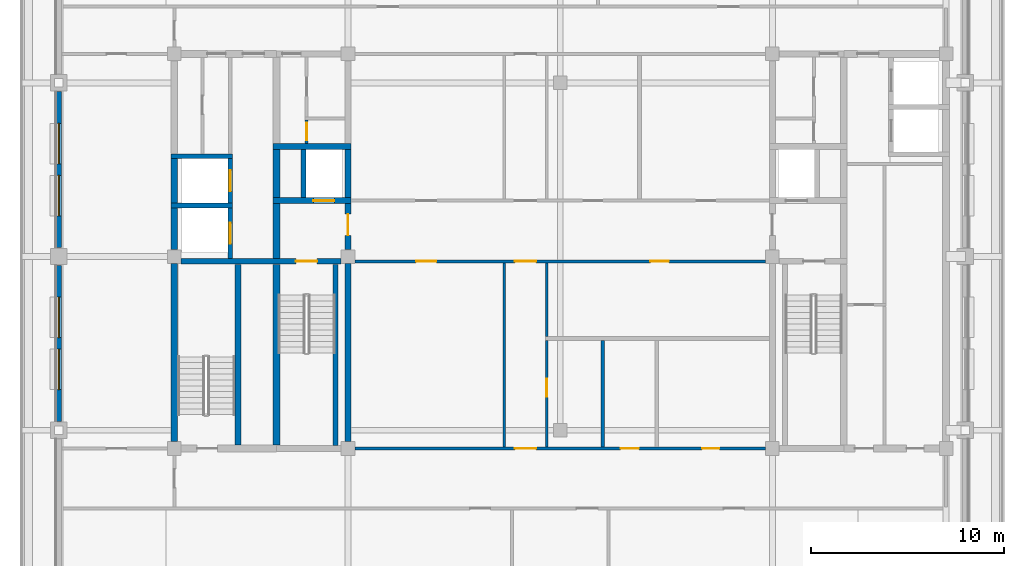
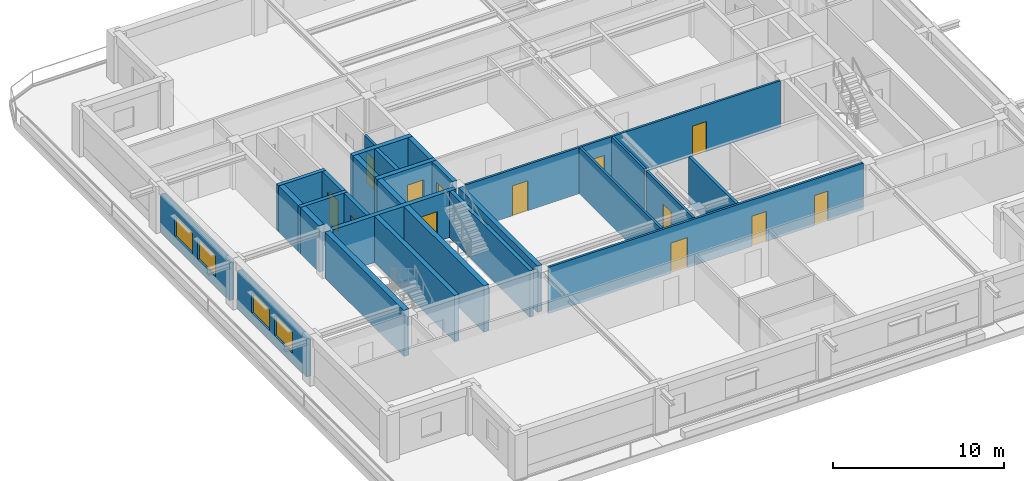
# One storey, part 3 of 11: 28 walls, 13 doors, 4 windows, 17 openings.
"""IFC4 building model written with IfcOpenShell, lengths in metres."""

import ifcopenshell
import ifcopenshell.guid

model = None  # the IFC model being written
_history = None  # IfcOwnerHistory: only IFC2X3 demands one
_inside = {}  # id of a spatial element -> (the spatial element, [elements in it])
_under = {}  # id of a project, library or spatial element -> (it, [spatial elements below it])
_declared = {}  # id of a project -> (the project, [libraries it declares])
_typed = {}  # id of a type object -> (the type object, [elements of that type])
_made_of = {}  # id of a material, layer set ... -> (it, [elements and type objects made of it])


def new_model(schema):
    """Start an empty IFC model of exactly this schema.

    Asked for "IFC4X3", IfcOpenShell would pick the latest addendum, in which some entities
    have other attributes; the version numbers below select the first issue.
    IFC2X3 requires an IfcOwnerHistory on every rooted entity: one is made here for all.
    """
    global model, _history
    if schema == "IFC4X3":
        model = ifcopenshell.file(schema_version=(4, 3, 0, 0))
    else:
        model = ifcopenshell.file(schema=schema)
    _inside.clear()
    _under.clear()
    _declared.clear()
    _typed.clear()
    _made_of.clear()
    _history = None
    if model.schema == "IFC2X3":
        org = make("IfcOrganization", Name="unknown")
        user = make(
            "IfcPersonAndOrganization",
            ThePerson=make("IfcPerson", FamilyName="unknown"),
            TheOrganization=org,
        )
        app = make(
            "IfcApplication",
            ApplicationDeveloper=org,
            Version="unknown",
            ApplicationFullName="unknown",
            ApplicationIdentifier="unknown",
        )
        _history = make(
            "IfcOwnerHistory",
            OwningUser=user,
            OwningApplication=app,
            ChangeAction="ADDED",
            CreationDate=0,
        )
    return model


def make(cls, **values):
    """One entity of the class cls with the attributes given. An attribute that is None is left unset."""
    return model.create_entity(
        cls, **{name: value for name, value in values.items() if value is not None}
    )


def rooted(cls, **values):
    """An entity with a GlobalId (a new one), such as an element, a storey or a relation."""
    return make(cls, GlobalId=ifcopenshell.guid.new(), OwnerHistory=_history, **values)


def si_unit(unit_type, name, prefix=None):
    """IfcSIUnit, for example si_unit("LENGTHUNIT", "METRE", prefix="MILLI")."""
    return make("IfcSIUnit", UnitType=unit_type, Prefix=prefix, Name=name)


def assignment(units):
    """IfcUnitAssignment: the units of a project."""
    return None if units is None else make("IfcUnitAssignment", Units=units)


def point(xyz):
    """IfcCartesianPoint."""
    return None if xyz is None else make("IfcCartesianPoint", Coordinates=xyz)


def direction(xyz):
    """IfcDirection."""
    return None if xyz is None else make("IfcDirection", DirectionRatios=xyz)


def frame(location, z_axis=None, x_axis=None):
    """IfcAxis2Placement3D, a coordinate frame: its origin and axes. An axis left out is left unset."""
    return make(
        "IfcAxis2Placement3D",
        Location=point(location),
        Axis=direction(z_axis),
        RefDirection=direction(x_axis),
    )


def frame_2d(location, x_axis=None):
    """IfcAxis2Placement2D, a coordinate frame in the plane: its origin and x axis."""
    return make(
        "IfcAxis2Placement2D", Location=point(location), RefDirection=direction(x_axis)
    )


def origin():
    """The frame at (0, 0, 0) with its axes left unset."""
    return frame((0.0, 0.0, 0.0))


def place(relative_to, where):
    """IfcLocalPlacement: puts the frame where relative to a parent placement (None: the world)."""
    return make(
        "IfcLocalPlacement", PlacementRelTo=relative_to, RelativePlacement=where
    )


def context(
    kind, dimensions, precision=None, world=None, true_north=None, identifier=None
):
    """IfcGeometricRepresentationContext, for example the 3D "Model" context."""
    return make(
        "IfcGeometricRepresentationContext",
        ContextIdentifier=identifier,
        ContextType=kind,
        CoordinateSpaceDimension=dimensions,
        Precision=precision,
        WorldCoordinateSystem=world,
        TrueNorth=true_north,
    )


def subcontext(parent, identifier, kind, view, scale=None):
    """IfcGeometricRepresentationSubContext, for example "Body" below "Model"."""
    return make(
        "IfcGeometricRepresentationSubContext",
        ContextIdentifier=identifier,
        ContextType=kind,
        ParentContext=parent,
        TargetScale=scale,
        TargetView=view,
    )


def project(units=None, contexts=None):
    """IfcProject with its units and contexts."""
    return rooted(
        "IfcProject",
        Name="project",
        RepresentationContexts=contexts,
        UnitsInContext=assignment(units),
    )


def spatial(cls, under=None, at=None, **own):
    """A site, building, storey or space (cls), placed at a placement, below another one or the project."""
    s = rooted(cls, ObjectPlacement=at, **own)
    if under is not None:
        _under.setdefault(under.id(), (under, []))[1].append(s)
    return s


def profile(cls, at=None, kind="AREA", **sizes):
    """A parametric profile (cls). Its sizes go by their IFC names, for example OverallWidth=200.0."""
    return make(cls, ProfileType=kind, Position=at, **sizes)


def rectangle(**sizes):
    """IfcRectangleProfileDef."""
    return profile("IfcRectangleProfileDef", **sizes)


def extrude(swept, where, along, depth):
    """IfcExtrudedAreaSolid: the profile swept, set in the frame where, extruded along a direction by depth."""
    return make(
        "IfcExtrudedAreaSolid",
        SweptArea=swept,
        Position=where,
        ExtrudedDirection=direction(along),
        Depth=depth,
    )


def shape(context_of_items, identifier, shape_type, items):
    """IfcShapeRepresentation: the items that make up one representation, for example the "Body"."""
    return make(
        "IfcShapeRepresentation",
        ContextOfItems=context_of_items,
        RepresentationIdentifier=identifier,
        RepresentationType=shape_type,
        Items=items,
    )


def material(Name=None, Category=None):
    """IfcMaterial."""
    return make("IfcMaterial", Name=Name, Category=Category)


def layer(
    of_material, thickness, ventilated=None, Name=None, Category=None, Priority=None
):
    """IfcMaterialLayer: one layer of a wall or slab, of a material (None: an air gap)."""
    return make(
        "IfcMaterialLayer",
        Material=of_material,
        LayerThickness=thickness,
        IsVentilated=ventilated,
        Name=Name,
        Category=Category,
        Priority=Priority,
    )


def layer_set(layers, Name=None):
    """IfcMaterialLayerSet."""
    return make("IfcMaterialLayerSet", MaterialLayers=layers, LayerSetName=Name)


def made_of(thing, what):
    """Note that an element or type object is made of a material, layer set ...; save() writes the relation."""
    if what is not None:
        _made_of.setdefault(what.id(), (what, []))[1].append(thing)
    return thing


def type_object(cls, material=None, **own):
    """A type object (cls), such as IfcWallType, which elements share."""
    return made_of(rooted(cls, **own), material)


def element(
    cls,
    number,
    at=None,
    inside=None,
    cuts=None,
    type_object=None,
    material=None,
    context=None,
    identifier="Body",
    shape_type=None,
    held_by="IfcProductDefinitionShape",
    body=None,
    shapes=None,
    **own,
):
    """One element of the class cls, such as IfcWall. Its Tag is "e" and its number.

    at: its placement. inside: the storey or other place that contains it. cuts: it is an
    opening in that element (IfcRelVoidsElement). A single representation is given by context,
    identifier, shape_type and body (its items); several are given by shapes. held_by: the class
    of the entity that holds the representations. save() writes the other relations.
    """
    e = rooted(cls, Tag="e%d" % number, ObjectPlacement=at, **own)
    if body is not None:
        shapes = [shape(context, identifier, shape_type, body)]
    if shapes is not None:
        e.Representation = make(held_by, Representations=shapes)
    if inside is not None:
        _inside.setdefault(inside.id(), (inside, []))[1].append(e)
    if cuts is not None:
        rooted(
            "IfcRelVoidsElement", RelatingBuildingElement=cuts, RelatedOpeningElement=e
        )
    if type_object is not None:
        _typed.setdefault(type_object.id(), (type_object, []))[1].append(e)
    return made_of(e, material)


def fill(opening, filler):
    """IfcRelFillsElement: the door or window that sits in an opening."""
    return rooted(
        "IfcRelFillsElement",
        RelatingOpeningElement=opening,
        RelatedBuildingElement=filler,
    )


def aggregate(whole, parts):
    """IfcRelAggregates: a whole, such as a stair, and the parts it consists of."""
    return rooted("IfcRelAggregates", RelatingObject=whole, RelatedObjects=parts)


def save(model, path):
    """Write the relations noted so far, then the file.

    IfcRelAggregates (storeys below a building ...), IfcRelContainedInSpatialStructure (elements
    in a storey), IfcRelDefinesByType, IfcRelAssociatesMaterial and IfcRelDeclares: one each for
    every whole, place, type object, material and project.
    """
    for whole, parts in _under.values():
        aggregate(whole, parts)
    for where, things in _inside.values():
        rooted(
            "IfcRelContainedInSpatialStructure",
            RelatedElements=things,
            RelatingStructure=where,
        )
    for kind, things in _typed.values():
        rooted("IfcRelDefinesByType", RelatedObjects=things, RelatingType=kind)
    for what, things in _made_of.values():
        rooted("IfcRelAssociatesMaterial", RelatedObjects=things, RelatingMaterial=what)
    for by, libraries in _declared.values():
        rooted("IfcRelDeclares", RelatingContext=by, RelatedDefinitions=libraries)
    model.write(path)


model = new_model("IFC4")

# Units and contexts
model_context = context("Model", 3, precision=1e-05, world=origin(), true_north=direction((0.0, 1.0)))
body_context = subcontext(model_context, "Body", "Model", "MODEL_VIEW")
ifc_project = project(units=[si_unit("LENGTHUNIT", "METRE"), si_unit("AREAUNIT", "SQUARE_METRE"), si_unit("VOLUMEUNIT", "CUBIC_METRE"), si_unit("PLANEANGLEUNIT", "RADIAN"), si_unit("MASSUNIT", "GRAM", prefix="KILO")], contexts=[model_context])

# Site, building, storey
site_placement = place(None, origin())
site = spatial("IfcSite", under=ifc_project, at=site_placement, CompositionType="ELEMENT")
building_placement = place(site_placement, origin())
building = spatial("IfcBuilding", under=site, at=building_placement, Name="Zulmaris Gate Convention Tower", CompositionType="ELEMENT")
storey_placement = place(building_placement, frame((0.0, 0.0, 274.320068359375)))
storey = spatial("IfcBuildingStorey", under=building, at=storey_placement, Name="L73", CompositionType="ELEMENT", Elevation=274.320068359375)

# Walls
ifc_material_1 = material(Name="Concrete C50/60", Category="concrete")
ifc_layer_1 = layer(ifc_material_1, 0.25, Name="Concrete C50/60")
ifc_layer_set_1 = layer_set([ifc_layer_1], Name="Concrete C50/60")
wall_type_1 = type_object("IfcWallType", Name="CORE-250", PredefinedType="SOLIDWALL", material=ifc_layer_set_1)
for number, where, z_axis, x_axis, name in (
    (1, (-20.175048828125, 2.64990234375, 0.0), (0.0, 0.0, 1.0), (1.0, 0.0, 0.0), "WL-L73-007"),
    (2, (-20.175048828125, 5.199951171875, 0.0), (0.0, 0.0, 1.0), (1.0, 0.0, 0.0), "WL-L73-010"),
):
    element("IfcWall", number, at=place(storey_placement, frame(where, z_axis=z_axis, x_axis=x_axis)), inside=storey, type_object=wall_type_1, Name=name, PredefinedType="SOLIDWALL", context=body_context, shape_type="SweptSolid", body=[
        extrude(rectangle(XDim=3.199951171875, YDim=0.25, at=frame_2d((1.60009765625, 0.0))), origin(), (0.0, 0.0, 1.0), 3.31494140625),
    ])

# Wall, opening, door
wall_1_placement = place(storey_placement, frame((-17.10009765625, -0.097900390625, 0.0), z_axis=(0.0, 0.0, 1.0), x_axis=(0.0, 1.0, 0.0)))
wall_1 = element("IfcWall", 3, at=wall_1_placement, inside=storey, type_object=wall_type_1, Name="WL-L73-038", PredefinedType="SOLIDWALL", context=body_context, shape_type="SweptSolid", body=[
    extrude(rectangle(XDim=2.620849609375, YDim=0.25, at=frame_2d((1.310546875, 0.0))), origin(), (0.0, 0.0, 1.0), 3.31494140625),
])
opening_1_placement = place(wall_1_placement, frame((0.748046875, 0.0, 0.0)))
opening_1 = element("IfcOpeningElement", 4, at=opening_1_placement, cuts=wall_1, Name="Opening D-06", PredefinedType="OPENING", context=body_context, shape_type="SweptSolid", body=[
    extrude(rectangle(XDim=1.10009765625, YDim=2.199951171875, at=frame_2d((0.550048828125, 1.10009765625))), frame((0.0, 0.135009765625, 0.0), z_axis=(0.0, -1.0, 0.0), x_axis=(1.0, 0.0, 0.0)), (0.0, 0.0, 1.0), 0.27001953125),
])
ifc_material_2 = material(Name="Brushed Stainless Steel", Category="steel")
door_type_1 = type_object("IfcDoorType", Name="LD-1100", OperationType="NOTDEFINED", PredefinedType="DOOR", material=ifc_material_2)
door_1_placement = place(opening_1_placement, origin())
door_1 = element("IfcDoor", 5, at=door_1_placement, inside=storey, type_object=door_type_1, Name="L73 Lift Landing Door HP-03 14", OperationType="SLIDING_TO_LEFT", OverallHeight=2.199951171875, OverallWidth=1.10009765625, PredefinedType="DOOR", context=body_context, shape_type="SweptSolid", body=[
    extrude(rectangle(XDim=1.10009765625, YDim=2.199951171875, at=frame_2d((0.550048828125, 1.10009765625))), frame((0.0, 0.02490234375, 0.0), z_axis=(0.0, -1.0, 0.0), x_axis=(1.0, 0.0, 0.0)), (0.0, 0.0, 1.0), 0.050048828125),
])
fill(opening_1, door_1)

wall_2_placement = place(storey_placement, frame((-17.10009765625, 2.777099609375, 0.0), z_axis=(0.0, 0.0, 1.0), x_axis=(0.0, 1.0, 0.0)))
wall_2 = element("IfcWall", 6, at=wall_2_placement, inside=storey, type_object=wall_type_1, Name="WL-L73-039", PredefinedType="SOLIDWALL", context=body_context, shape_type="SweptSolid", body=[
    extrude(rectangle(XDim=2.2958984375, YDim=0.25, at=frame_2d((1.14794921875, 0.0))), origin(), (0.0, 0.0, 1.0), 3.31494140625),
])
opening_2_placement = place(wall_2_placement, frame((0.597900390625, 0.0, 0.0)))
opening_2 = element("IfcOpeningElement", 7, at=opening_2_placement, cuts=wall_2, Name="Opening D-06", PredefinedType="OPENING", context=body_context, shape_type="SweptSolid", body=[
    extrude(rectangle(XDim=1.10009765625, YDim=2.199951171875, at=frame_2d((0.550048828125, 1.10009765625))), frame((0.0, 0.135009765625, 0.0), z_axis=(0.0, -1.0, 0.0), x_axis=(1.0, 0.0, 0.0)), (0.0, 0.0, 1.0), 0.27001953125),
])
door_2_placement = place(opening_2_placement, origin())
door_2 = element("IfcDoor", 8, at=door_2_placement, inside=storey, type_object=door_type_1, Name="L73 Lift Landing Door HP-04 15", OperationType="SLIDING_TO_LEFT", OverallHeight=2.199951171875, OverallWidth=1.10009765625, PredefinedType="DOOR", context=body_context, shape_type="SweptSolid", body=[
    extrude(rectangle(XDim=1.10009765625, YDim=2.199951171875, at=frame_2d((0.550048828125, 1.10009765625))), frame((0.0, 0.02490234375, 0.0), z_axis=(0.0, -1.0, 0.0), x_axis=(1.0, 0.0, 0.0)), (0.0, 0.0, 1.0), 0.050048828125),
])
fill(opening_2, door_2)

# Walls
wall_3_placement = place(storey_placement, frame((-13.300048828125, 3.052001953125, 0.0), z_axis=(0.0, 0.0, 1.0), x_axis=(0.0, 1.0, 0.0)))
element("IfcWall", 9, at=wall_3_placement, inside=storey, type_object=wall_type_1, Name="WL-L73-045", PredefinedType="SOLIDWALL", context=body_context, shape_type="SweptSolid", body=[
    extrude(rectangle(XDim=2.49609375, YDim=0.25, at=frame_2d((1.248046875, 0.0))), origin(), (0.0, 0.0, 1.0), 3.31494140625),
])
wall_4_placement = place(storey_placement, frame((-11.64990234375, -9.798095703125, 0.0), z_axis=(0.0, 0.0, 1.0), x_axis=(0.0, 1.0, 0.0)))
element("IfcWall", 10, at=wall_4_placement, inside=storey, type_object=wall_type_1, Name="WL-L73-046", PredefinedType="SOLIDWALL", context=body_context, shape_type="SweptSolid", body=[
    extrude(rectangle(XDim=9.39599609375, YDim=0.25, at=frame_2d((4.697998046875, 0.0))), origin(), (0.0, 0.0, 1.0), 3.31494140625),
])

# Wall, opening, door
ifc_layer_2 = layer(ifc_material_1, 0.300048828125, Name="Concrete C50/60")
ifc_layer_set_2 = layer_set([ifc_layer_2], Name="Concrete C50/60")
wall_type_2 = type_object("IfcWallType", Name="CORE-300", PredefinedType="SHEAR", material=ifc_layer_set_2)
wall_5_placement = place(storey_placement, frame((-19.64599609375, -0.25, 0.0), z_axis=(0.0, 0.0, 1.0), x_axis=(1.0, 0.0, 0.0)))
wall_5 = element("IfcWall", 11, at=wall_5_placement, inside=storey, type_object=wall_type_2, Name="WL-L73-005", PredefinedType="SHEAR", context=body_context, shape_type="SweptSolid", body=[
    extrude(rectangle(XDim=8.2919921875, YDim=0.300048828125, at=frame_2d((4.14599609375, 0.0))), origin(), (0.0, 0.0, 1.0), 3.31494140625),
])
opening_3_placement = place(wall_5_placement, frame((5.946044921875, 0.0, 0.0)))
opening_3 = element("IfcOpeningElement", 12, at=opening_3_placement, cuts=wall_5, Name="Opening D-08", PredefinedType="OPENING", context=body_context, shape_type="SweptSolid", body=[
    extrude(rectangle(XDim=1.10009765625, YDim=2.14990234375, at=frame_2d((0.550048828125, 1.074951171875))), frame((0.0, 0.16015625, 0.0), z_axis=(0.0, -1.0, 0.0), x_axis=(1.0, 0.0, 0.0)), (0.0, 0.0, 1.0), 0.320068359375),
])
ifc_material_3 = material(Name="Fire-Rated Steel", Category="steel")
door_type_2 = type_object("IfcDoorType", Name="DR-1100-FD", OperationType="NOTDEFINED", PredefinedType="DOOR", material=ifc_material_3)
door_3_placement = place(opening_3_placement, origin())
door_3 = element("IfcDoor", 13, at=door_3_placement, inside=storey, type_object=door_type_2, Name="L73 Exit Stair ST-1 Door 01", OperationType="SINGLE_SWING_RIGHT", OverallHeight=2.14990234375, OverallWidth=1.10009765625, PredefinedType="DOOR", context=body_context, shape_type="SweptSolid", body=[
    extrude(rectangle(XDim=1.10009765625, YDim=2.14990234375, at=frame_2d((0.550048828125, 1.074951171875))), frame((0.0, 0.02490234375, 0.0), z_axis=(0.0, -1.0, 0.0), x_axis=(1.0, 0.0, 0.0)), (0.0, 0.0, 1.0), 0.050048828125),
])
fill(opening_3, door_3)

wall_6_placement = place(storey_placement, frame((-14.875, 2.89990234375, 0.0), z_axis=(0.0, 0.0, 1.0), x_axis=(1.0, 0.0, 0.0)))
wall_6 = element("IfcWall", 14, at=wall_6_placement, inside=storey, type_object=wall_type_2, Name="WL-L73-008", PredefinedType="SHEAR", context=body_context, shape_type="SweptSolid", body=[
    extrude(rectangle(XDim=4.02490234375, YDim=0.300048828125, at=frame_2d((2.012451171875, 0.0))), origin(), (0.0, 0.0, 1.0), 3.31494140625),
])
opening_4_placement = place(wall_6_placement, frame((2.074951171875, 0.0, 0.0)))
opening_4 = element("IfcOpeningElement", 15, at=opening_4_placement, cuts=wall_6, Name="Opening D-06", PredefinedType="OPENING", context=body_context, shape_type="SweptSolid", body=[
    extrude(rectangle(XDim=1.10009765625, YDim=2.199951171875, at=frame_2d((0.550048828125, 1.10009765625))), frame((0.0, 0.16015625, 0.0), z_axis=(0.0, -1.0, 0.0), x_axis=(1.0, 0.0, 0.0)), (0.0, 0.0, 1.0), 0.320068359375),
])
door_4_placement = place(opening_4_placement, origin())
door_4 = element("IfcDoor", 16, at=door_4_placement, inside=storey, type_object=door_type_1, Name="L73 Lift Landing Door LF-01 03", OperationType="SLIDING_TO_LEFT", OverallHeight=2.199951171875, OverallWidth=1.10009765625, PredefinedType="DOOR", context=body_context, shape_type="SweptSolid", body=[
    extrude(rectangle(XDim=1.10009765625, YDim=2.199951171875, at=frame_2d((0.550048828125, 1.10009765625))), frame((0.0, 0.02490234375, 0.0), z_axis=(0.0, -1.0, 0.0), x_axis=(1.0, 0.0, 0.0)), (0.0, 0.0, 1.0), 0.050048828125),
])
fill(opening_4, door_4)

# Walls
wall_7_placement = place(storey_placement, frame((-14.875, 5.699951171875, 0.0), z_axis=(0.0, 0.0, 1.0), x_axis=(1.0, 0.0, 0.0)))
element("IfcWall", 17, at=wall_7_placement, inside=storey, type_object=wall_type_2, Name="WL-L73-012", PredefinedType="SHEAR", context=body_context, shape_type="SweptSolid", body=[
    extrude(rectangle(XDim=4.02490234375, YDim=0.300048828125, at=frame_2d((2.012451171875, 0.0))), origin(), (0.0, 0.0, 1.0), 3.31494140625),
])
wall_8_placement = place(storey_placement, frame((-16.699951171875, -9.77294921875, 0.0), z_axis=(0.0, 0.0, 1.0), x_axis=(0.0, 1.0, 0.0)))
element("IfcWall", 18, at=wall_8_placement, inside=storey, type_object=wall_type_2, Name="WL-L73-040", PredefinedType="SHEAR", context=body_context, shape_type="SweptSolid", body=[
    extrude(rectangle(XDim=9.370849609375, YDim=0.300048828125, at=frame_2d((4.685546875, 0.0))), origin(), (0.0, 0.0, 1.0), 3.31494140625),
])
wall_9_placement = place(storey_placement, frame((-11.0, -9.595947265625, 0.0), z_axis=(0.0, 0.0, 1.0), x_axis=(0.0, 1.0, 0.0)))
element("IfcWall", 19, at=wall_9_placement, inside=storey, type_object=wall_type_2, Name="WL-L73-047", PredefinedType="SHEAR", context=body_context, shape_type="SweptSolid", body=[
    extrude(rectangle(XDim=9.241943359375, YDim=0.300048828125, at=frame_2d((4.62109375, 0.0))), origin(), (0.0, 0.0, 1.0), 3.31494140625),
])

# Wall, opening, door
wall_10_placement = place(storey_placement, frame((-11.0, 0.35400390625, 0.0), z_axis=(0.0, 0.0, 1.0), x_axis=(0.0, 1.0, 0.0)))
wall_10 = element("IfcWall", 20, at=wall_10_placement, inside=storey, type_object=wall_type_2, Name="WL-L73-048", PredefinedType="SHEAR", context=body_context, shape_type="SweptSolid", body=[
    extrude(rectangle(XDim=2.39404296875, YDim=0.300048828125, at=frame_2d((1.197021484375, 0.0))), origin(), (0.0, 0.0, 1.0), 3.31494140625),
])
opening_5_placement = place(wall_10_placement, frame((0.74609375, 0.0, 0.0)))
opening_5 = element("IfcOpeningElement", 21, at=opening_5_placement, cuts=wall_10, Name="Opening D-08", PredefinedType="OPENING", context=body_context, shape_type="SweptSolid", body=[
    extrude(rectangle(XDim=1.10009765625, YDim=2.14990234375, at=frame_2d((0.550048828125, 1.074951171875))), frame((0.0, 0.16015625, 0.0), z_axis=(0.0, -1.0, 0.0), x_axis=(1.0, 0.0, 0.0)), (0.0, 0.0, 1.0), 0.320068359375),
])
door_5_placement = place(opening_5_placement, origin())
door_5 = element("IfcDoor", 22, at=door_5_placement, inside=storey, type_object=door_type_2, Name="L73 West Firefighting Lobby Door 02", OperationType="SINGLE_SWING_LEFT", OverallHeight=2.14990234375, OverallWidth=1.10009765625, PredefinedType="DOOR", context=body_context, shape_type="SweptSolid", body=[
    extrude(rectangle(XDim=1.10009765625, YDim=2.14990234375, at=frame_2d((0.550048828125, 1.074951171875))), frame((0.0, 0.02490234375, 0.0), z_axis=(0.0, -1.0, 0.0), x_axis=(1.0, 0.0, 0.0)), (0.0, 0.0, 1.0), 0.050048828125),
])
fill(opening_5, door_5)

# Walls
wall_11_placement = place(storey_placement, frame((-11.0, 3.052001953125, 0.0), z_axis=(0.0, 0.0, 1.0), x_axis=(0.0, 1.0, 0.0)))
element("IfcWall", 23, at=wall_11_placement, inside=storey, type_object=wall_type_2, Name="WL-L73-049", PredefinedType="SHEAR", context=body_context, shape_type="SweptSolid", body=[
    extrude(rectangle(XDim=2.49609375, YDim=0.300048828125, at=frame_2d((1.248046875, 0.0))), origin(), (0.0, 0.0, 1.0), 3.31494140625),
])
ifc_material_4 = material(Name="Concrete C55/67", Category="concrete")
ifc_layer_3 = layer(ifc_material_4, 0.35009765625, Name="Concrete C55/67")
ifc_layer_set_3 = layer_set([ifc_layer_3], Name="Concrete C55/67")
wall_type_3 = type_object("IfcWallType", Name="CORE-350", PredefinedType="SHEAR", material=ifc_layer_set_3)
wall_12_placement = place(storey_placement, frame((-20.0, -9.595947265625, 0.0), z_axis=(0.0, 0.0, 1.0), x_axis=(0.0, 1.0, 0.0)))
element("IfcWall", 24, at=wall_12_placement, inside=storey, type_object=wall_type_3, Name="WL-L73-034", PredefinedType="SHEAR", context=body_context, shape_type="SweptSolid", body=[
    extrude(rectangle(XDim=9.241943359375, YDim=0.35009765625, at=frame_2d((4.62109375, 0.0))), origin(), (0.0, 0.0, 1.0), 3.31494140625),
])
wall_13_placement = place(storey_placement, frame((-20.0, 0.35400390625, 0.0), z_axis=(0.0, 0.0, 1.0), x_axis=(0.0, 1.0, 0.0)))
element("IfcWall", 25, at=wall_13_placement, inside=storey, type_object=wall_type_3, Name="WL-L73-035", PredefinedType="SHEAR", context=body_context, shape_type="SweptSolid", body=[
    extrude(rectangle(XDim=2.1689453125, YDim=0.35009765625, at=frame_2d((1.08447265625, 0.0))), origin(), (0.0, 0.0, 1.0), 3.31494140625),
])
wall_14_placement = place(storey_placement, frame((-20.0, 2.777099609375, 0.0), z_axis=(0.0, 0.0, 1.0), x_axis=(0.0, 1.0, 0.0)))
element("IfcWall", 26, at=wall_14_placement, inside=storey, type_object=wall_type_3, Name="WL-L73-036", PredefinedType="SHEAR", context=body_context, shape_type="SweptSolid", body=[
    extrude(rectangle(XDim=2.2958984375, YDim=0.35009765625, at=frame_2d((1.14794921875, 0.0))), origin(), (0.0, 0.0, 1.0), 3.31494140625),
])
wall_15_placement = place(storey_placement, frame((-14.699951171875, -9.77294921875, 0.0), z_axis=(0.0, 0.0, 1.0), x_axis=(0.0, 1.0, 0.0)))
element("IfcWall", 27, at=wall_15_placement, inside=storey, type_object=wall_type_3, Name="WL-L73-041", PredefinedType="SHEAR", context=body_context, shape_type="SweptSolid", body=[
    extrude(rectangle(XDim=9.370849609375, YDim=0.35009765625, at=frame_2d((4.685546875, 0.0))), origin(), (0.0, 0.0, 1.0), 3.31494140625),
])
wall_16_placement = place(storey_placement, frame((-14.699951171875, -0.097900390625, 0.0), z_axis=(0.0, 0.0, 1.0), x_axis=(0.0, 1.0, 0.0)))
element("IfcWall", 28, at=wall_16_placement, inside=storey, type_object=wall_type_3, Name="WL-L73-042", PredefinedType="SHEAR", context=body_context, shape_type="SweptSolid", body=[
    extrude(rectangle(XDim=2.845947265625, YDim=0.35009765625, at=frame_2d((1.4228515625, 0.0))), origin(), (0.0, 0.0, 1.0), 3.31494140625),
])
wall_17_placement = place(storey_placement, frame((-14.699951171875, 3.052001953125, 0.0), z_axis=(0.0, 0.0, 1.0), x_axis=(0.0, 1.0, 0.0)))
element("IfcWall", 29, at=wall_17_placement, inside=storey, type_object=wall_type_3, Name="WL-L73-043", PredefinedType="SHEAR", context=body_context, shape_type="SweptSolid", body=[
    extrude(rectangle(XDim=2.49609375, YDim=0.35009765625, at=frame_2d((1.248046875, 0.0))), origin(), (0.0, 0.0, 1.0), 3.31494140625),
])

# Wall, openings, doors
ifc_material_5 = material(Name="Gypsum Metal Stud Partition")
ifc_layer_4 = layer(ifc_material_5, 0.14990234375, Name="Gypsum Metal Stud Partition")
ifc_layer_set_4 = layer_set([ifc_layer_4], Name="Gypsum Metal Stud Partition")
wall_type_4 = type_object("IfcWallType", Name="PART-150", PredefinedType="PARTITIONING", material=ifc_layer_set_4)
wall_18_placement = place(storey_placement, frame((-10.64404296875, -9.949951171875, 0.0), z_axis=(0.0, 0.0, 1.0), x_axis=(1.0, 0.0, 0.0)))
wall_18 = element("IfcWall", 30, at=wall_18_placement, inside=storey, type_object=wall_type_4, Name="WL-L73-023", PredefinedType="PARTITIONING", context=body_context, shape_type="SweptSolid", body=[
    extrude(rectangle(XDim=21.2880859375, YDim=0.14990234375, at=frame_2d((10.64404296875, 0.0))), origin(), (0.0, 0.0, 1.0), 3.31494140625),
])
opening_6_placement = place(wall_18_placement, frame((8.2939453125, 0.0, 0.0)))
opening_6 = element("IfcOpeningElement", 31, at=opening_6_placement, cuts=wall_18, Name="Opening D-08", PredefinedType="OPENING", context=body_context, shape_type="SweptSolid", body=[
    extrude(rectangle(XDim=1.10009765625, YDim=2.14990234375, at=frame_2d((0.550048828125, 1.074951171875))), frame((0.0, 0.0849609375, 0.0), z_axis=(0.0, -1.0, 0.0), x_axis=(1.0, 0.0, 0.0)), (0.0, 0.0, 1.0), 0.169921875),
])
opening_7_placement = place(wall_18_placement, frame((13.76904296875, 0.0, 0.0)))
opening_7 = element("IfcOpeningElement", 32, at=opening_7_placement, cuts=wall_18, Name="Opening D-11", PredefinedType="OPENING", context=body_context, shape_type="SweptSolid", body=[
    extrude(rectangle(XDim=0.949951171875, YDim=2.14990234375, at=frame_2d((0.47509765625, 1.074951171875))), frame((0.0, 0.0849609375, 0.0), z_axis=(0.0, -1.0, 0.0), x_axis=(1.0, 0.0, 0.0)), (0.0, 0.0, 1.0), 0.169921875),
])
opening_8_placement = place(wall_18_placement, frame((17.993896484375, 0.0, 0.0)))
opening_8 = element("IfcOpeningElement", 33, at=opening_8_placement, cuts=wall_18, Name="Opening D-12", PredefinedType="OPENING", context=body_context, shape_type="SweptSolid", body=[
    extrude(rectangle(XDim=0.89990234375, YDim=2.14990234375, at=frame_2d((0.449951171875, 1.074951171875))), frame((0.0, 0.0849609375, 0.0), z_axis=(0.0, -1.0, 0.0), x_axis=(1.0, 0.0, 0.0)), (0.0, 0.0, 1.0), 0.169921875),
])
door_6_placement = place(opening_6_placement, origin())
door_6 = element("IfcDoor", 34, at=door_6_placement, inside=storey, type_object=door_type_2, Name="L73 Exec South Link Door 26", OperationType="SINGLE_SWING_LEFT", OverallHeight=2.14990234375, OverallWidth=1.10009765625, PredefinedType="DOOR", context=body_context, shape_type="SweptSolid", body=[
    extrude(rectangle(XDim=1.10009765625, YDim=2.14990234375, at=frame_2d((0.550048828125, 1.074951171875))), frame((0.0, 0.02490234375, 0.0), z_axis=(0.0, -1.0, 0.0), x_axis=(1.0, 0.0, 0.0)), (0.0, 0.0, 1.0), 0.050048828125),
])
fill(opening_6, door_6)
ifc_material_6 = material(Name="Fire-Rated Timber", Category="wood")
door_type_3 = type_object("IfcDoorType", Name="DR-900-FD", OperationType="NOTDEFINED", PredefinedType="DOOR", material=ifc_material_6)
door_7_placement = place(opening_8_placement, origin())
door_7 = element("IfcDoor", 35, at=door_7_placement, inside=storey, type_object=door_type_3, Name="L73 Reprographics Office Door 43", OperationType="SINGLE_SWING_RIGHT", OverallHeight=2.14990234375, OverallWidth=0.89990234375, PredefinedType="DOOR", context=body_context, shape_type="SweptSolid", body=[
    extrude(rectangle(XDim=0.89990234375, YDim=2.14990234375, at=frame_2d((0.449951171875, 1.074951171875))), frame((0.0, 0.02490234375, 0.0), z_axis=(0.0, -1.0, 0.0), x_axis=(1.0, 0.0, 0.0)), (0.0, 0.0, 1.0), 0.050048828125),
])
fill(opening_8, door_7)
door_type_4 = type_object("IfcDoorType", Name="DR-950-FD", OperationType="NOTDEFINED", PredefinedType="DOOR", material=ifc_material_6)
door_8_placement = place(opening_7_placement, origin())
door_8 = element("IfcDoor", 36, at=door_8_placement, inside=storey, type_object=door_type_4, Name="L73 Accessible WC Door 42", OperationType="SINGLE_SWING_LEFT", OverallHeight=2.14990234375, OverallWidth=0.949951171875, PredefinedType="DOOR", context=body_context, shape_type="SweptSolid", body=[
    extrude(rectangle(XDim=0.949951171875, YDim=2.14990234375, at=frame_2d((0.47509765625, 1.074951171875))), frame((0.0, 0.02490234375, 0.0), z_axis=(0.0, -1.0, 0.0), x_axis=(1.0, 0.0, 0.0)), (0.0, 0.0, 1.0), 0.050048828125),
])
fill(opening_7, door_8)

wall_19_placement = place(storey_placement, frame((-10.64404296875, -0.25, 0.0), z_axis=(0.0, 0.0, 1.0), x_axis=(1.0, 0.0, 0.0)))
wall_19 = element("IfcWall", 37, at=wall_19_placement, inside=storey, type_object=wall_type_4, Name="WL-L73-026", PredefinedType="PARTITIONING", context=body_context, shape_type="SweptSolid", body=[
    extrude(rectangle(XDim=21.2880859375, YDim=0.14990234375, at=frame_2d((10.64404296875, 0.0))), origin(), (0.0, 0.0, 1.0), 3.31494140625),
])
opening_9_placement = place(wall_19_placement, frame((8.2939453125, 0.0, 0.0)))
opening_9 = element("IfcOpeningElement", 38, at=opening_9_placement, cuts=wall_19, Name="Opening D-08", PredefinedType="OPENING", context=body_context, shape_type="SweptSolid", body=[
    extrude(rectangle(XDim=1.10009765625, YDim=2.14990234375, at=frame_2d((0.550048828125, 1.074951171875))), frame((0.0, 0.0849609375, 0.0), z_axis=(0.0, -1.0, 0.0), x_axis=(1.0, 0.0, 0.0)), (0.0, 0.0, 1.0), 0.169921875),
])
opening_10_placement = place(wall_19_placement, frame((3.1689453125, 0.0, 0.0)))
opening_10 = element("IfcOpeningElement", 39, at=opening_10_placement, cuts=wall_19, Name="Opening D-09", PredefinedType="OPENING", context=body_context, shape_type="SweptSolid", body=[
    extrude(rectangle(XDim=1.050048828125, YDim=2.14990234375, at=frame_2d((0.52490234375, 1.074951171875))), frame((0.0, 0.0849609375, 0.0), z_axis=(0.0, -1.0, 0.0), x_axis=(1.0, 0.0, 0.0)), (0.0, 0.0, 1.0), 0.169921875),
])
opening_11_placement = place(wall_19_placement, frame((15.319091796875, 0.0, 0.0)))
opening_11 = element("IfcOpeningElement", 40, at=opening_11_placement, cuts=wall_19, Name="Opening D-11", PredefinedType="OPENING", context=body_context, shape_type="SweptSolid", body=[
    extrude(rectangle(XDim=0.949951171875, YDim=2.14990234375, at=frame_2d((0.47509765625, 1.074951171875))), frame((0.0, 0.0849609375, 0.0), z_axis=(0.0, -1.0, 0.0), x_axis=(1.0, 0.0, 0.0)), (0.0, 0.0, 1.0), 0.169921875),
])
door_type_5 = type_object("IfcDoorType", Name="DR-1050-FD", OperationType="NOTDEFINED", PredefinedType="DOOR", material=ifc_material_3)
door_9_placement = place(opening_10_placement, origin())
door_9 = element("IfcDoor", 41, at=door_9_placement, inside=storey, type_object=door_type_5, Name="L73 Sky Library Door 39", OperationType="SINGLE_SWING_RIGHT", OverallHeight=2.14990234375, OverallWidth=1.050048828125, PredefinedType="DOOR", context=body_context, shape_type="SweptSolid", body=[
    extrude(rectangle(XDim=1.050048828125, YDim=2.14990234375, at=frame_2d((0.52490234375, 1.074951171875))), frame((0.0, 0.02490234375, 0.0), z_axis=(0.0, -1.0, 0.0), x_axis=(1.0, 0.0, 0.0)), (0.0, 0.0, 1.0), 0.050048828125),
])
fill(opening_10, door_9)
door_10_placement = place(opening_9_placement, origin())
door_10 = element("IfcDoor", 42, at=door_10_placement, inside=storey, type_object=door_type_2, Name="L73 Exec Cross South Door 28", OperationType="SINGLE_SWING_LEFT", OverallHeight=2.14990234375, OverallWidth=1.10009765625, PredefinedType="DOOR", context=body_context, shape_type="SweptSolid", body=[
    extrude(rectangle(XDim=1.10009765625, YDim=2.14990234375, at=frame_2d((0.550048828125, 1.074951171875))), frame((0.0, 0.02490234375, 0.0), z_axis=(0.0, -1.0, 0.0), x_axis=(1.0, 0.0, 0.0)), (0.0, 0.0, 1.0), 0.050048828125),
])
fill(opening_9, door_10)
door_11_placement = place(opening_11_placement, origin())
door_11 = element("IfcDoor", 43, at=door_11_placement, inside=storey, type_object=door_type_4, Name="L73 Public WC Door 40", OperationType="SINGLE_SWING_LEFT", OverallHeight=2.14990234375, OverallWidth=0.949951171875, PredefinedType="DOOR", context=body_context, shape_type="SweptSolid", body=[
    extrude(rectangle(XDim=0.949951171875, YDim=2.14990234375, at=frame_2d((0.47509765625, 1.074951171875))), frame((0.0, 0.02490234375, 0.0), z_axis=(0.0, -1.0, 0.0), x_axis=(1.0, 0.0, 0.0)), (0.0, 0.0, 1.0), 0.050048828125),
])
fill(opening_11, door_11)

# Wall, opening, door
wall_20_placement = place(storey_placement, frame((-13.14990234375, 5.85302734375, 0.0), z_axis=(0.0, 0.0, 1.0), x_axis=(0.0, 1.0, 0.0)))
wall_20 = element("IfcWall", 44, at=wall_20_placement, inside=storey, type_object=wall_type_4, Name="WL-L73-070", PredefinedType="PARTITIONING", context=body_context, shape_type="SweptSolid", body=[
    extrude(rectangle(XDim=1.218994140625, YDim=0.14990234375, at=frame_2d((0.609375, 0.0))), origin(), (0.0, 0.0, 1.0), 3.31494140625),
])
opening_12_placement = place(wall_20_placement, frame((0.1689453125, 0.0, 0.0)))
opening_12 = element("IfcOpeningElement", 45, at=opening_12_placement, cuts=wall_20, Name="Opening D-12", PredefinedType="OPENING", context=body_context, shape_type="SweptSolid", body=[
    extrude(rectangle(XDim=0.89990234375, YDim=2.14990234375, at=frame_2d((0.449951171875, 1.074951171875))), frame((0.0, 0.0849609375, 0.0), z_axis=(0.0, -1.0, 0.0), x_axis=(1.0, 0.0, 0.0)), (0.0, 0.0, 1.0), 0.169921875),
])
door_12_placement = place(opening_12_placement, origin())
door_12 = element("IfcDoor", 46, at=door_12_placement, inside=storey, type_object=door_type_3, Name="L73 Stationery Closet Door 08", OperationType="SINGLE_SWING_LEFT", OverallHeight=2.14990234375, OverallWidth=0.89990234375, PredefinedType="DOOR", context=body_context, shape_type="SweptSolid", body=[
    extrude(rectangle(XDim=0.89990234375, YDim=2.14990234375, at=frame_2d((0.449951171875, 1.074951171875))), frame((0.0, 0.02490234375, 0.0), z_axis=(0.0, -1.0, 0.0), x_axis=(1.0, 0.0, 0.0)), (0.0, 0.0, 1.0), 0.050048828125),
])
fill(opening_12, door_12)

# Wall
wall_21_placement = place(storey_placement, frame((-2.89990234375, -9.8720703125, 0.0), z_axis=(0.0, 0.0, 1.0), x_axis=(0.0, 1.0, 0.0)))
element("IfcWall", 47, at=wall_21_placement, inside=storey, type_object=wall_type_4, Name="WL-L73-072", PredefinedType="PARTITIONING", context=body_context, shape_type="SweptSolid", body=[
    extrude(rectangle(XDim=9.544189453125, YDim=0.14990234375, at=frame_2d((4.77197265625, 0.0))), origin(), (0.0, 0.0, 1.0), 3.31494140625),
])

# Wall, opening, door
wall_22_placement = place(storey_placement, frame((-0.699951171875, -9.8720703125, 0.0), z_axis=(0.0, 0.0, 1.0), x_axis=(0.0, 1.0, 0.0)))
wall_22 = element("IfcWall", 48, at=wall_22_placement, inside=storey, type_object=wall_type_4, Name="WL-L73-077", PredefinedType="PARTITIONING", context=body_context, shape_type="SweptSolid", body=[
    extrude(rectangle(XDim=5.51904296875, YDim=0.14990234375, at=frame_2d((2.759521484375, 0.0))), origin(), (0.0, 0.0, 1.0), 3.31494140625),
])
opening_13_placement = place(wall_22_placement, frame((2.596923828125, 0.0, 0.0)))
opening_13 = element("IfcOpeningElement", 49, at=opening_13_placement, cuts=wall_22, Name="Opening D-11", PredefinedType="OPENING", context=body_context, shape_type="SweptSolid", body=[
    extrude(rectangle(XDim=0.949951171875, YDim=2.14990234375, at=frame_2d((0.47509765625, 1.074951171875))), frame((0.0, 0.0849609375, 0.0), z_axis=(0.0, -1.0, 0.0), x_axis=(1.0, 0.0, 0.0)), (0.0, 0.0, 1.0), 0.169921875),
])
door_13_placement = place(opening_13_placement, origin())
door_13 = element("IfcDoor", 50, at=door_13_placement, inside=storey, type_object=door_type_4, Name="L73 Hygiene Supply Door 41", OperationType="SINGLE_SWING_RIGHT", OverallHeight=2.14990234375, OverallWidth=0.949951171875, PredefinedType="DOOR", context=body_context, shape_type="SweptSolid", body=[
    extrude(rectangle(XDim=0.949951171875, YDim=2.14990234375, at=frame_2d((0.47509765625, 1.074951171875))), frame((0.0, 0.02490234375, 0.0), z_axis=(0.0, -1.0, 0.0), x_axis=(1.0, 0.0, 0.0)), (0.0, 0.0, 1.0), 0.050048828125),
])
fill(opening_13, door_13)

# Walls
wall_23_placement = place(storey_placement, frame((-0.699951171875, -4.14697265625, 0.0), z_axis=(0.0, 0.0, 1.0), x_axis=(0.0, 1.0, 0.0)))
element("IfcWall", 51, at=wall_23_placement, inside=storey, type_object=wall_type_4, Name="WL-L73-078", PredefinedType="PARTITIONING", context=body_context, shape_type="SweptSolid", body=[
    extrude(rectangle(XDim=3.819091796875, YDim=0.14990234375, at=frame_2d((1.90966796875, 0.0))), origin(), (0.0, 0.0, 1.0), 3.31494140625),
])
ifc_material_7 = material(Name="Autoclaved Aerated Concrete Block and Plasterboard", Category="concrete")
ifc_layer_5 = layer(ifc_material_7, 0.199951171875, Name="Autoclaved Aerated Concrete Block and Plasterboard")
ifc_layer_set_5 = layer_set([ifc_layer_5], Name="Autoclaved Aerated Concrete Block and Plasterboard")
wall_type_5 = type_object("IfcWallType", Name="PART-200", PredefinedType="PARTITIONING", material=ifc_layer_set_5)
wall_24_placement = place(storey_placement, frame((2.199951171875, -9.8720703125, 0.0), z_axis=(0.0, 0.0, 1.0), x_axis=(0.0, 1.0, 0.0)))
element("IfcWall", 52, at=wall_24_placement, inside=storey, type_object=wall_type_5, Name="WL-L73-081", PredefinedType="PARTITIONING", context=body_context, shape_type="SweptSolid", body=[
    extrude(rectangle(XDim=5.51904296875, YDim=0.199951171875, at=frame_2d((2.759521484375, 0.0))), origin(), (0.0, 0.0, 1.0), 3.31494140625),
])

# Wall, openings, windows
ifc_material_8 = material(Name="Precast concrete C40/50", Category="concrete")
ifc_layer_6 = layer(ifc_material_8, 0.300048828125, Name="Precast concrete C40/50")
ifc_layer_set_6 = layer_set([ifc_layer_6], Name="Precast concrete C40/50")
wall_type_6 = type_object("IfcWallType", Name="PRECAST-PIER-300", PredefinedType="STANDARD", material=ifc_layer_set_6)
wall_25_placement = place(storey_placement, frame((-26.0, -0.455078125, 0.0), z_axis=(0.0, 0.0, 1.0), x_axis=(0.0, -1.0, 0.0)))
wall_25 = element("IfcWall", 53, at=wall_25_placement, inside=storey, type_object=wall_type_6, Name="EW-L73-W-1_0", PredefinedType="STANDARD", context=body_context, shape_type="SweptSolid", body=[
    extrude(rectangle(XDim=8.08984375, YDim=0.300048828125, at=frame_2d((4.044921875, 0.0))), origin(), (0.0, 0.0, 1.0), 2.70703125),
])
opening_14_placement = place(wall_25_placement, frame((1.64697265625, 0.0, 0.699951171875)))
opening_14 = element("IfcOpeningElement", 54, at=opening_14_placement, cuts=wall_25, Name="Opening W-05", PredefinedType="OPENING", context=body_context, shape_type="SweptSolid", body=[
    extrude(rectangle(XDim=2.10009765625, YDim=1.5, at=frame_2d((1.050048828125, 0.75))), frame((0.0, 0.16015625, 0.0), z_axis=(0.0, -1.0, 0.0), x_axis=(1.0, 0.0, 0.0)), (0.0, 0.0, 1.0), 0.320068359375),
])
opening_15_placement = place(wall_25_placement, frame((4.343017578125, 0.0, 0.699951171875)))
opening_15 = element("IfcOpeningElement", 55, at=opening_15_placement, cuts=wall_25, Name="Opening W-05", PredefinedType="OPENING", context=body_context, shape_type="SweptSolid", body=[
    extrude(rectangle(XDim=2.10009765625, YDim=1.5, at=frame_2d((1.050048828125, 0.75))), frame((0.0, 0.16015625, 0.0), z_axis=(0.0, -1.0, 0.0), x_axis=(1.0, 0.0, 0.0)), (0.0, 0.0, 1.0), 0.320068359375),
])
ifc_material_9 = material(Name="Low-E Laminated Double Glazing in Aluminium Frame", Category="aluminium")
window_type = type_object("IfcWindowType", Name="WIN-2100x2400", PartitioningType="SINGLE_PANEL", PredefinedType="WINDOW", material=ifc_material_9)
window_1_placement = place(opening_14_placement, origin())
window_1 = element("IfcWindow", 56, at=window_1_placement, inside=storey, type_object=window_type, Name="WN-EW-L73-W-1_0-1", OverallHeight=1.5, OverallWidth=2.10009765625, PartitioningType="SINGLE_PANEL", PredefinedType="WINDOW", context=body_context, shape_type="SweptSolid", body=[
    extrude(rectangle(XDim=2.10009765625, YDim=1.5, at=frame_2d((1.050048828125, 0.75))), frame((0.0, 0.030029296875, 0.0), z_axis=(0.0, -1.0, 0.0), x_axis=(1.0, 0.0, 0.0)), (0.0, 0.0, 1.0), 0.06005859375),
])
fill(opening_14, window_1)
window_2_placement = place(opening_15_placement, origin())
window_2 = element("IfcWindow", 57, at=window_2_placement, inside=storey, type_object=window_type, Name="WN-EW-L73-W-1_0-2", OverallHeight=1.5, OverallWidth=2.10009765625, PartitioningType="SINGLE_PANEL", PredefinedType="WINDOW", context=body_context, shape_type="SweptSolid", body=[
    extrude(rectangle(XDim=2.10009765625, YDim=1.5, at=frame_2d((1.050048828125, 0.75))), frame((0.0, 0.030029296875, 0.0), z_axis=(0.0, -1.0, 0.0), x_axis=(1.0, 0.0, 0.0)), (0.0, 0.0, 1.0), 0.06005859375),
])
fill(opening_15, window_2)

wall_26_placement = place(storey_placement, frame((-26.0, 8.544921875, 0.0), z_axis=(0.0, 0.0, 1.0), x_axis=(0.0, -1.0, 0.0)))
wall_26 = element("IfcWall", 58, at=wall_26_placement, inside=storey, type_object=wall_type_6, Name="EW-L73-W-2_0", PredefinedType="STANDARD", context=body_context, shape_type="SweptSolid", body=[
    extrude(rectangle(XDim=8.08984375, YDim=0.300048828125, at=frame_2d((4.044921875, 0.0))), origin(), (0.0, 0.0, 1.0), 2.70703125),
])
opening_16_placement = place(wall_26_placement, frame((1.64697265625, 0.0, 0.699951171875)))
opening_16 = element("IfcOpeningElement", 59, at=opening_16_placement, cuts=wall_26, Name="Opening W-05", PredefinedType="OPENING", context=body_context, shape_type="SweptSolid", body=[
    extrude(rectangle(XDim=2.10009765625, YDim=1.5, at=frame_2d((1.050048828125, 0.75))), frame((0.0, 0.16015625, 0.0), z_axis=(0.0, -1.0, 0.0), x_axis=(1.0, 0.0, 0.0)), (0.0, 0.0, 1.0), 0.320068359375),
])
opening_17_placement = place(wall_26_placement, frame((4.343017578125, 0.0, 0.699951171875)))
opening_17 = element("IfcOpeningElement", 60, at=opening_17_placement, cuts=wall_26, Name="Opening W-05", PredefinedType="OPENING", context=body_context, shape_type="SweptSolid", body=[
    extrude(rectangle(XDim=2.10009765625, YDim=1.5, at=frame_2d((1.050048828125, 0.75))), frame((0.0, 0.16015625, 0.0), z_axis=(0.0, -1.0, 0.0), x_axis=(1.0, 0.0, 0.0)), (0.0, 0.0, 1.0), 0.320068359375),
])
window_3_placement = place(opening_16_placement, origin())
window_3 = element("IfcWindow", 61, at=window_3_placement, inside=storey, type_object=window_type, Name="WN-EW-L73-W-2_0-1", OverallHeight=1.5, OverallWidth=2.10009765625, PartitioningType="SINGLE_PANEL", PredefinedType="WINDOW", context=body_context, shape_type="SweptSolid", body=[
    extrude(rectangle(XDim=2.10009765625, YDim=1.5, at=frame_2d((1.050048828125, 0.75))), frame((0.0, 0.030029296875, 0.0), z_axis=(0.0, -1.0, 0.0), x_axis=(1.0, 0.0, 0.0)), (0.0, 0.0, 1.0), 0.06005859375),
])
fill(opening_16, window_3)
window_4_placement = place(opening_17_placement, origin())
window_4 = element("IfcWindow", 62, at=window_4_placement, inside=storey, type_object=window_type, Name="WN-EW-L73-W-2_0-2", OverallHeight=1.5, OverallWidth=2.10009765625, PartitioningType="SINGLE_PANEL", PredefinedType="WINDOW", context=body_context, shape_type="SweptSolid", body=[
    extrude(rectangle(XDim=2.10009765625, YDim=1.5, at=frame_2d((1.050048828125, 0.75))), frame((0.0, 0.030029296875, 0.0), z_axis=(0.0, -1.0, 0.0), x_axis=(1.0, 0.0, 0.0)), (0.0, 0.0, 1.0), 0.06005859375),
])
fill(opening_17, window_4)

save(model, "model.ifc")
